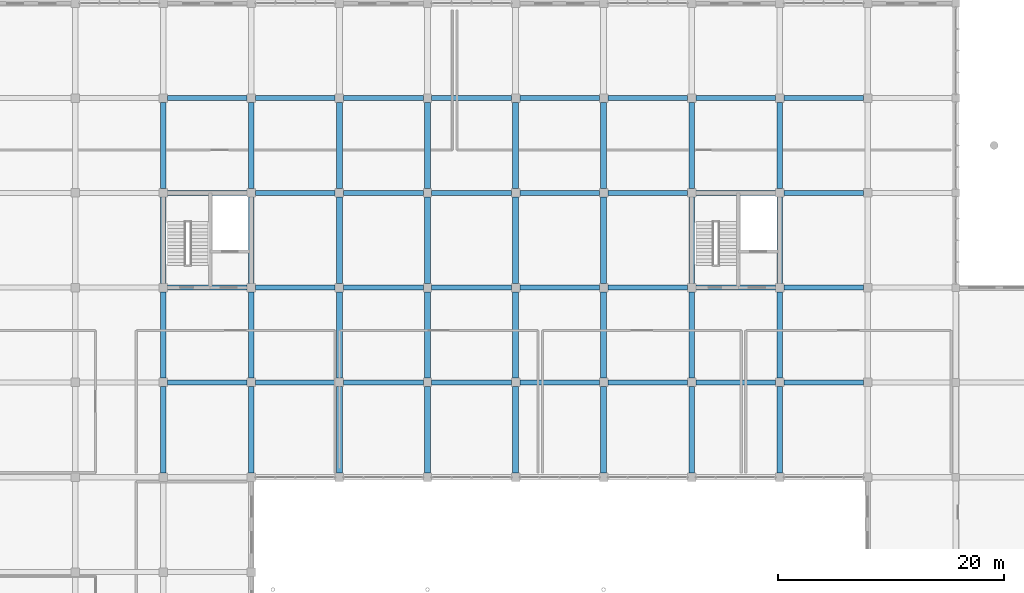
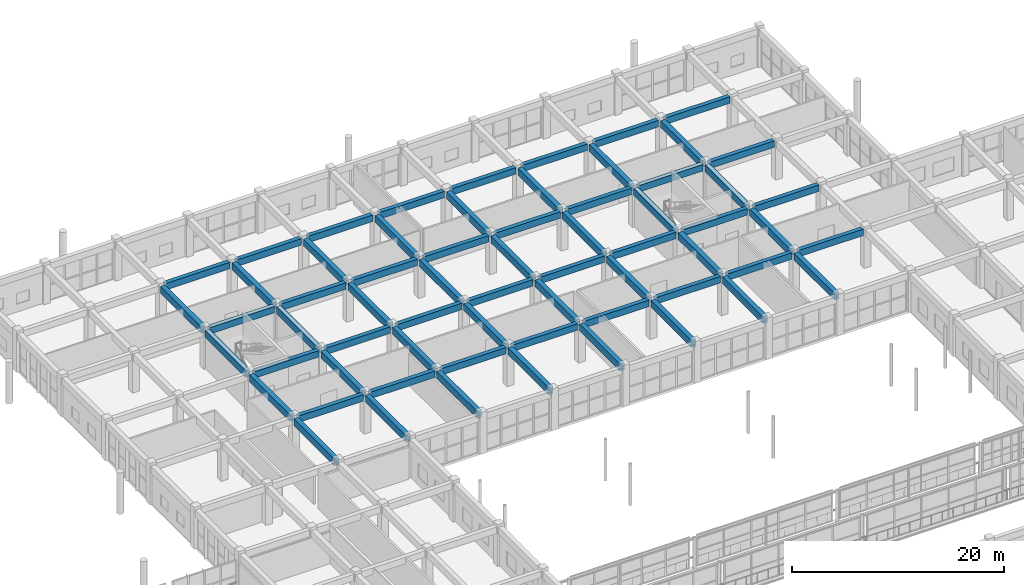
# One storey, part 86 of 175: 64 beams.
"""IFC4 building model written with IfcOpenShell, lengths in metres."""

from ifc_helpers import new_model, si_unit, direction, frame, origin, origin_2d, place, context, subcontext, project, spatial, rectangle, extrude, material, material_profile, profile_set, type_object, element, save


model = new_model("IFC4")

# Units and contexts
model_context = context("Model", 3, precision=1e-05, world=origin(), true_north=direction((0.0, 1.0)))
body_context = subcontext(model_context, "Body", "Model", "MODEL_VIEW")
ifc_project = project(units=[si_unit("LENGTHUNIT", "METRE"), si_unit("AREAUNIT", "SQUARE_METRE"), si_unit("VOLUMEUNIT", "CUBIC_METRE"), si_unit("PLANEANGLEUNIT", "RADIAN"), si_unit("MASSUNIT", "GRAM", prefix="KILO")], contexts=[model_context])

# Site, building, storey
site_placement = place(None, origin())
site = spatial("IfcSite", under=ifc_project, at=site_placement, CompositionType="ELEMENT")
building_placement = place(site_placement, origin())
building = spatial("IfcBuilding", under=site, at=building_placement, Name="Zizhar Promenade General Hospital", CompositionType="ELEMENT")
storey_placement = place(building_placement, frame((0.0, 0.0, 4.800048828125)))
storey = spatial("IfcBuildingStorey", under=building, at=storey_placement, Name="L01", CompositionType="ELEMENT", Elevation=4.800048828125)

# Beams
ifc_material_1 = material(Name="Concrete C35/45", Category="concrete")
ifc_material_profile_1 = material_profile(ifc_material_1, rectangle(XDim=0.449951171875, YDim=0.75, at=origin_2d()))
ifc_profile_set_1 = profile_set([ifc_material_profile_1], Name="Concrete C35/45")
beam_type_1 = type_object("IfcBeamType", Name="BM-RC-450x750", PredefinedType="BEAM", material=ifc_profile_set_1)
for number, where, z_axis, x_axis, name in (
    (1, (62.77490234375, 100.800048828125, 4.094970703125), (1.0, 0.0, 0.0), (0.0, 1.0, 0.0), "Grid Beam X L01 (8-12)"),
    (2, (62.77490234375, 109.199951171875, 4.094970703125), (1.0, 0.0, 0.0), (0.0, 1.0, 0.0), "Grid Beam X L01 (8-13)"),
    (3, (62.77490234375, 117.60009765625, 4.094970703125), (1.0, 0.0, 0.0), (0.0, 1.0, 0.0), "Grid Beam X L01 (8-14)"),
    (4, (62.77490234375, 126.0, 4.094970703125), (1.0, 0.0, 0.0), (0.0, 1.0, 0.0), "Grid Beam X L01 (8-15)"),
    (5, (70.574951171875, 100.800048828125, 4.094970703125), (1.0, 0.0, 0.0), (0.0, 1.0, 0.0), "Grid Beam X L01 (9-12)"),
    (6, (70.574951171875, 109.199951171875, 4.094970703125), (1.0, 0.0, 0.0), (0.0, 1.0, 0.0), "Grid Beam X L01 (9-13)"),
    (7, (70.574951171875, 117.60009765625, 4.094970703125), (1.0, 0.0, 0.0), (0.0, 1.0, 0.0), "Grid Beam X L01 (9-14)"),
    (8, (70.574951171875, 126.0, 4.094970703125), (1.0, 0.0, 0.0), (0.0, 1.0, 0.0), "Grid Beam X L01 (9-15)"),
    (9, (78.375, 100.800048828125, 4.094970703125), (1.0, 0.0, 0.0), (0.0, 1.0, 0.0), "Grid Beam X L01 (10-12)"),
    (10, (78.375, 109.199951171875, 4.094970703125), (1.0, 0.0, 0.0), (0.0, 1.0, 0.0), "Grid Beam X L01 (10-13)"),
    (11, (78.375, 117.60009765625, 4.094970703125), (1.0, 0.0, 0.0), (0.0, 1.0, 0.0), "Grid Beam X L01 (10-14)"),
    (12, (78.375, 126.0, 4.094970703125), (1.0, 0.0, 0.0), (0.0, 1.0, 0.0), "Grid Beam X L01 (10-15)"),
    (13, (86.175048828125, 100.800048828125, 4.094970703125), (1.0, 0.0, 0.0), (0.0, 1.0, 0.0), "Grid Beam X L01 (11-12)"),
    (14, (86.175048828125, 109.199951171875, 4.094970703125), (1.0, 0.0, 0.0), (0.0, 1.0, 0.0), "Grid Beam X L01 (11-13)"),
    (15, (86.175048828125, 117.60009765625, 4.094970703125), (1.0, 0.0, 0.0), (0.0, 1.0, 0.0), "Grid Beam X L01 (11-14)"),
    (16, (86.175048828125, 126.0, 4.094970703125), (1.0, 0.0, 0.0), (0.0, 1.0, 0.0), "Grid Beam X L01 (11-15)"),
):
    element("IfcBeam", number, at=place(storey_placement, frame(where, z_axis=z_axis, x_axis=x_axis)), inside=storey, type_object=beam_type_1, Name=name, PredefinedType="BEAM", context=body_context, shape_type="SweptSolid", body=[
        extrude(rectangle(XDim=0.449951171875, YDim=0.75, at=origin_2d()), origin(), (0.0, 0.0, 1.0), 7.050048828125),
    ])
for number, where, z_axis, x_axis, name in (
    (17, (93.97509765625, 100.800048828125, 4.094970703125), (1.0, 0.0, 0.0), (0.0, 1.0, 0.0), "Grid Beam X L01 (12-12)"),
    (18, (93.97509765625, 109.199951171875, 4.094970703125), (1.0, 0.0, 0.0), (0.0, 1.0, 0.0), "Grid Beam X L01 (12-13)"),
    (19, (93.97509765625, 117.60009765625, 4.094970703125), (1.0, 0.0, 0.0), (0.0, 1.0, 0.0), "Grid Beam X L01 (12-14)"),
    (20, (93.97509765625, 126.0, 4.094970703125), (1.0, 0.0, 0.0), (0.0, 1.0, 0.0), "Grid Beam X L01 (12-15)"),
):
    element("IfcBeam", number, at=place(storey_placement, frame(where, z_axis=z_axis, x_axis=x_axis)), inside=storey, type_object=beam_type_1, Name=name, PredefinedType="BEAM", context=body_context, shape_type="SweptSolid", body=[
        extrude(rectangle(XDim=0.449951171875, YDim=0.75, at=origin_2d()), origin(), (0.0, 0.0, 1.0), 7.0498046875),
    ])
for number, where, z_axis, x_axis, name in (
    (21, (101.77490234375, 100.800048828125, 4.094970703125), (1.0, 0.0, 0.0), (0.0, 1.0, 0.0), "Grid Beam X L01 (13-12)"),
    (22, (101.77490234375, 109.199951171875, 4.094970703125), (1.0, 0.0, 0.0), (0.0, 1.0, 0.0), "Grid Beam X L01 (13-13)"),
    (23, (101.77490234375, 117.60009765625, 4.094970703125), (1.0, 0.0, 0.0), (0.0, 1.0, 0.0), "Grid Beam X L01 (13-14)"),
    (24, (101.77490234375, 126.0, 4.094970703125), (1.0, 0.0, 0.0), (0.0, 1.0, 0.0), "Grid Beam X L01 (13-15)"),
    (25, (109.574951171875, 100.800048828125, 4.094970703125), (1.0, 0.0, 0.0), (0.0, 1.0, 0.0), "Grid Beam X L01 (14-12)"),
    (26, (109.574951171875, 109.199951171875, 4.094970703125), (1.0, 0.0, 0.0), (0.0, 1.0, 0.0), "Grid Beam X L01 (14-13)"),
    (27, (109.574951171875, 117.60009765625, 4.094970703125), (1.0, 0.0, 0.0), (0.0, 1.0, 0.0), "Grid Beam X L01 (14-14)"),
    (28, (109.574951171875, 126.0, 4.094970703125), (1.0, 0.0, 0.0), (0.0, 1.0, 0.0), "Grid Beam X L01 (14-15)"),
    (29, (117.375, 100.800048828125, 4.094970703125), (1.0, 0.0, 0.0), (0.0, 1.0, 0.0), "Grid Beam X L01 (15-12)"),
    (30, (117.375, 109.199951171875, 4.094970703125), (1.0, 0.0, 0.0), (0.0, 1.0, 0.0), "Grid Beam X L01 (15-13)"),
    (31, (117.375, 117.60009765625, 4.094970703125), (1.0, 0.0, 0.0), (0.0, 1.0, 0.0), "Grid Beam X L01 (15-14)"),
    (32, (117.375, 126.0, 4.094970703125), (1.0, 0.0, 0.0), (0.0, 1.0, 0.0), "Grid Beam X L01 (15-15)"),
):
    element("IfcBeam", number, at=place(storey_placement, frame(where, z_axis=z_axis, x_axis=x_axis)), inside=storey, type_object=beam_type_1, Name=name, PredefinedType="BEAM", context=body_context, shape_type="SweptSolid", body=[
        extrude(rectangle(XDim=0.449951171875, YDim=0.75, at=origin_2d()), origin(), (0.0, 0.0, 1.0), 7.050048828125),
    ])
ifc_material_2 = material(Name="Concrete C35/45", Category="concrete")
ifc_material_profile_2 = material_profile(ifc_material_2, rectangle(XDim=0.5, YDim=0.800048828125, at=origin_2d()))
ifc_profile_set_2 = profile_set([ifc_material_profile_2], Name="Concrete C35/45")
beam_type_2 = type_object("IfcBeamType", Name="BM-RC-500x800", PredefinedType="BEAM", material=ifc_profile_set_2)
beam_1_placement = place(storey_placement, frame((62.39990234375, 92.77490234375, 4.070068359375), z_axis=(0.0, 1.0, 0.0), x_axis=(-1.0, 0.0, 0.0)))
element("IfcBeam", 33, at=beam_1_placement, inside=storey, type_object=beam_type_2, Name="Grid Beam Y L01 (8-11)", PredefinedType="BEAM", context=body_context, shape_type="SweptSolid", body=[
    extrude(rectangle(XDim=0.5, YDim=0.800048828125, at=origin_2d()), origin(), (0.0, 0.0, 1.0), 7.650146484375),
])
beam_2_placement = place(storey_placement, frame((62.39990234375, 101.175048828125, 4.070068359375), z_axis=(0.0, 1.0, 0.0), x_axis=(-1.0, 0.0, 0.0)))
element("IfcBeam", 34, at=beam_2_placement, inside=storey, type_object=beam_type_2, Name="Grid Beam Y L01 (8-12)", PredefinedType="BEAM", context=body_context, shape_type="SweptSolid", body=[
    extrude(rectangle(XDim=0.5, YDim=0.800048828125, at=origin_2d()), origin(), (0.0, 0.0, 1.0), 7.64990234375),
])
beam_3_placement = place(storey_placement, frame((62.39990234375, 109.574951171875, 4.070068359375), z_axis=(0.0, 1.0, 0.0), x_axis=(-1.0, 0.0, 0.0)))
element("IfcBeam", 35, at=beam_3_placement, inside=storey, type_object=beam_type_2, Name="Grid Beam Y L01 (8-13)", PredefinedType="BEAM", context=body_context, shape_type="SweptSolid", body=[
    extrude(rectangle(XDim=0.5, YDim=0.800048828125, at=origin_2d()), origin(), (0.0, 0.0, 1.0), 7.650146484375),
])
beam_4_placement = place(storey_placement, frame((62.39990234375, 117.97509765625, 4.070068359375), z_axis=(0.0, 1.0, 0.0), x_axis=(-1.0, 0.0, 0.0)))
element("IfcBeam", 36, at=beam_4_placement, inside=storey, type_object=beam_type_2, Name="Grid Beam Y L01 (8-14)", PredefinedType="BEAM", context=body_context, shape_type="SweptSolid", body=[
    extrude(rectangle(XDim=0.5, YDim=0.800048828125, at=origin_2d()), origin(), (0.0, 0.0, 1.0), 7.64990234375),
])
beam_5_placement = place(storey_placement, frame((70.199951171875, 92.77490234375, 4.070068359375), z_axis=(0.0, 1.0, 0.0), x_axis=(-1.0, 0.0, 0.0)))
element("IfcBeam", 37, at=beam_5_placement, inside=storey, type_object=beam_type_2, Name="Grid Beam Y L01 (9-11)", PredefinedType="BEAM", context=body_context, shape_type="SweptSolid", body=[
    extrude(rectangle(XDim=0.5, YDim=0.800048828125, at=origin_2d()), origin(), (0.0, 0.0, 1.0), 7.650146484375),
])
beam_6_placement = place(storey_placement, frame((70.199951171875, 101.175048828125, 4.070068359375), z_axis=(0.0, 1.0, 0.0), x_axis=(-1.0, 0.0, 0.0)))
element("IfcBeam", 38, at=beam_6_placement, inside=storey, type_object=beam_type_2, Name="Grid Beam Y L01 (9-12)", PredefinedType="BEAM", context=body_context, shape_type="SweptSolid", body=[
    extrude(rectangle(XDim=0.5, YDim=0.800048828125, at=origin_2d()), origin(), (0.0, 0.0, 1.0), 7.64990234375),
])
beam_7_placement = place(storey_placement, frame((70.199951171875, 109.574951171875, 4.070068359375), z_axis=(0.0, 1.0, 0.0), x_axis=(-1.0, 0.0, 0.0)))
element("IfcBeam", 39, at=beam_7_placement, inside=storey, type_object=beam_type_2, Name="Grid Beam Y L01 (9-13)", PredefinedType="BEAM", context=body_context, shape_type="SweptSolid", body=[
    extrude(rectangle(XDim=0.5, YDim=0.800048828125, at=origin_2d()), origin(), (0.0, 0.0, 1.0), 7.650146484375),
])
beam_8_placement = place(storey_placement, frame((70.199951171875, 117.97509765625, 4.070068359375), z_axis=(0.0, 1.0, 0.0), x_axis=(-1.0, 0.0, 0.0)))
element("IfcBeam", 40, at=beam_8_placement, inside=storey, type_object=beam_type_2, Name="Grid Beam Y L01 (9-14)", PredefinedType="BEAM", context=body_context, shape_type="SweptSolid", body=[
    extrude(rectangle(XDim=0.5, YDim=0.800048828125, at=origin_2d()), origin(), (0.0, 0.0, 1.0), 7.64990234375),
])
beam_9_placement = place(storey_placement, frame((78.0, 92.77490234375, 4.070068359375), z_axis=(0.0, 1.0, 0.0), x_axis=(-1.0, 0.0, 0.0)))
element("IfcBeam", 41, at=beam_9_placement, inside=storey, type_object=beam_type_2, Name="Grid Beam Y L01 (10-11)", PredefinedType="BEAM", context=body_context, shape_type="SweptSolid", body=[
    extrude(rectangle(XDim=0.5, YDim=0.800048828125, at=origin_2d()), origin(), (0.0, 0.0, 1.0), 7.650146484375),
])
beam_10_placement = place(storey_placement, frame((78.0, 101.175048828125, 4.070068359375), z_axis=(0.0, 1.0, 0.0), x_axis=(-1.0, 0.0, 0.0)))
element("IfcBeam", 42, at=beam_10_placement, inside=storey, type_object=beam_type_2, Name="Grid Beam Y L01 (10-12)", PredefinedType="BEAM", context=body_context, shape_type="SweptSolid", body=[
    extrude(rectangle(XDim=0.5, YDim=0.800048828125, at=origin_2d()), origin(), (0.0, 0.0, 1.0), 7.64990234375),
])
beam_11_placement = place(storey_placement, frame((78.0, 109.574951171875, 4.070068359375), z_axis=(0.0, 1.0, 0.0), x_axis=(-1.0, 0.0, 0.0)))
element("IfcBeam", 43, at=beam_11_placement, inside=storey, type_object=beam_type_2, Name="Grid Beam Y L01 (10-13)", PredefinedType="BEAM", context=body_context, shape_type="SweptSolid", body=[
    extrude(rectangle(XDim=0.5, YDim=0.800048828125, at=origin_2d()), origin(), (0.0, 0.0, 1.0), 7.650146484375),
])
beam_12_placement = place(storey_placement, frame((78.0, 117.97509765625, 4.070068359375), z_axis=(0.0, 1.0, 0.0), x_axis=(-1.0, 0.0, 0.0)))
element("IfcBeam", 44, at=beam_12_placement, inside=storey, type_object=beam_type_2, Name="Grid Beam Y L01 (10-14)", PredefinedType="BEAM", context=body_context, shape_type="SweptSolid", body=[
    extrude(rectangle(XDim=0.5, YDim=0.800048828125, at=origin_2d()), origin(), (0.0, 0.0, 1.0), 7.64990234375),
])
beam_13_placement = place(storey_placement, frame((85.800048828125, 92.77490234375, 4.070068359375), z_axis=(0.0, 1.0, 0.0), x_axis=(-1.0, 0.0, 0.0)))
element("IfcBeam", 45, at=beam_13_placement, inside=storey, type_object=beam_type_2, Name="Grid Beam Y L01 (11-11)", PredefinedType="BEAM", context=body_context, shape_type="SweptSolid", body=[
    extrude(rectangle(XDim=0.5, YDim=0.800048828125, at=origin_2d()), origin(), (0.0, 0.0, 1.0), 7.650146484375),
])
beam_14_placement = place(storey_placement, frame((85.800048828125, 101.175048828125, 4.070068359375), z_axis=(0.0, 1.0, 0.0), x_axis=(-1.0, 0.0, 0.0)))
element("IfcBeam", 46, at=beam_14_placement, inside=storey, type_object=beam_type_2, Name="Grid Beam Y L01 (11-12)", PredefinedType="BEAM", context=body_context, shape_type="SweptSolid", body=[
    extrude(rectangle(XDim=0.5, YDim=0.800048828125, at=origin_2d()), origin(), (0.0, 0.0, 1.0), 7.64990234375),
])
beam_15_placement = place(storey_placement, frame((85.800048828125, 109.574951171875, 4.070068359375), z_axis=(0.0, 1.0, 0.0), x_axis=(-1.0, 0.0, 0.0)))
element("IfcBeam", 47, at=beam_15_placement, inside=storey, type_object=beam_type_2, Name="Grid Beam Y L01 (11-13)", PredefinedType="BEAM", context=body_context, shape_type="SweptSolid", body=[
    extrude(rectangle(XDim=0.5, YDim=0.800048828125, at=origin_2d()), origin(), (0.0, 0.0, 1.0), 7.650146484375),
])
beam_16_placement = place(storey_placement, frame((85.800048828125, 117.97509765625, 4.070068359375), z_axis=(0.0, 1.0, 0.0), x_axis=(-1.0, 0.0, 0.0)))
element("IfcBeam", 48, at=beam_16_placement, inside=storey, type_object=beam_type_2, Name="Grid Beam Y L01 (11-14)", PredefinedType="BEAM", context=body_context, shape_type="SweptSolid", body=[
    extrude(rectangle(XDim=0.5, YDim=0.800048828125, at=origin_2d()), origin(), (0.0, 0.0, 1.0), 7.64990234375),
])
beam_17_placement = place(storey_placement, frame((93.60009765625, 92.77490234375, 4.070068359375), z_axis=(0.0, 1.0, 0.0), x_axis=(-1.0, 0.0, 0.0)))
element("IfcBeam", 49, at=beam_17_placement, inside=storey, type_object=beam_type_2, Name="Grid Beam Y L01 (12-11)", PredefinedType="BEAM", context=body_context, shape_type="SweptSolid", body=[
    extrude(rectangle(XDim=0.5, YDim=0.800048828125, at=origin_2d()), origin(), (0.0, 0.0, 1.0), 7.650146484375),
])
beam_18_placement = place(storey_placement, frame((93.60009765625, 101.175048828125, 4.070068359375), z_axis=(0.0, 1.0, 0.0), x_axis=(-1.0, 0.0, 0.0)))
element("IfcBeam", 50, at=beam_18_placement, inside=storey, type_object=beam_type_2, Name="Grid Beam Y L01 (12-12)", PredefinedType="BEAM", context=body_context, shape_type="SweptSolid", body=[
    extrude(rectangle(XDim=0.5, YDim=0.800048828125, at=origin_2d()), origin(), (0.0, 0.0, 1.0), 7.64990234375),
])
beam_19_placement = place(storey_placement, frame((93.60009765625, 109.574951171875, 4.070068359375), z_axis=(0.0, 1.0, 0.0), x_axis=(-1.0, 0.0, 0.0)))
element("IfcBeam", 51, at=beam_19_placement, inside=storey, type_object=beam_type_2, Name="Grid Beam Y L01 (12-13)", PredefinedType="BEAM", context=body_context, shape_type="SweptSolid", body=[
    extrude(rectangle(XDim=0.5, YDim=0.800048828125, at=origin_2d()), origin(), (0.0, 0.0, 1.0), 7.650146484375),
])
beam_20_placement = place(storey_placement, frame((93.60009765625, 117.97509765625, 4.070068359375), z_axis=(0.0, 1.0, 0.0), x_axis=(-1.0, 0.0, 0.0)))
element("IfcBeam", 52, at=beam_20_placement, inside=storey, type_object=beam_type_2, Name="Grid Beam Y L01 (12-14)", PredefinedType="BEAM", context=body_context, shape_type="SweptSolid", body=[
    extrude(rectangle(XDim=0.5, YDim=0.800048828125, at=origin_2d()), origin(), (0.0, 0.0, 1.0), 7.64990234375),
])
beam_21_placement = place(storey_placement, frame((101.39990234375, 92.77490234375, 4.070068359375), z_axis=(0.0, 1.0, 0.0), x_axis=(-1.0, 0.0, 0.0)))
element("IfcBeam", 53, at=beam_21_placement, inside=storey, type_object=beam_type_2, Name="Grid Beam Y L01 (13-11)", PredefinedType="BEAM", context=body_context, shape_type="SweptSolid", body=[
    extrude(rectangle(XDim=0.5, YDim=0.800048828125, at=origin_2d()), origin(), (0.0, 0.0, 1.0), 7.650146484375),
])
beam_22_placement = place(storey_placement, frame((101.39990234375, 101.175048828125, 4.070068359375), z_axis=(0.0, 1.0, 0.0), x_axis=(-1.0, 0.0, 0.0)))
element("IfcBeam", 54, at=beam_22_placement, inside=storey, type_object=beam_type_2, Name="Grid Beam Y L01 (13-12)", PredefinedType="BEAM", context=body_context, shape_type="SweptSolid", body=[
    extrude(rectangle(XDim=0.5, YDim=0.800048828125, at=origin_2d()), origin(), (0.0, 0.0, 1.0), 7.64990234375),
])
beam_23_placement = place(storey_placement, frame((101.39990234375, 109.574951171875, 4.070068359375), z_axis=(0.0, 1.0, 0.0), x_axis=(-1.0, 0.0, 0.0)))
element("IfcBeam", 55, at=beam_23_placement, inside=storey, type_object=beam_type_2, Name="Grid Beam Y L01 (13-13)", PredefinedType="BEAM", context=body_context, shape_type="SweptSolid", body=[
    extrude(rectangle(XDim=0.5, YDim=0.800048828125, at=origin_2d()), origin(), (0.0, 0.0, 1.0), 7.650146484375),
])
beam_24_placement = place(storey_placement, frame((101.39990234375, 117.97509765625, 4.070068359375), z_axis=(0.0, 1.0, 0.0), x_axis=(-1.0, 0.0, 0.0)))
element("IfcBeam", 56, at=beam_24_placement, inside=storey, type_object=beam_type_2, Name="Grid Beam Y L01 (13-14)", PredefinedType="BEAM", context=body_context, shape_type="SweptSolid", body=[
    extrude(rectangle(XDim=0.5, YDim=0.800048828125, at=origin_2d()), origin(), (0.0, 0.0, 1.0), 7.64990234375),
])
beam_25_placement = place(storey_placement, frame((109.199951171875, 92.77490234375, 4.070068359375), z_axis=(0.0, 1.0, 0.0), x_axis=(-1.0, 0.0, 0.0)))
element("IfcBeam", 57, at=beam_25_placement, inside=storey, type_object=beam_type_2, Name="Grid Beam Y L01 (14-11)", PredefinedType="BEAM", context=body_context, shape_type="SweptSolid", body=[
    extrude(rectangle(XDim=0.5, YDim=0.800048828125, at=origin_2d()), origin(), (0.0, 0.0, 1.0), 7.650146484375),
])
beam_26_placement = place(storey_placement, frame((109.199951171875, 101.175048828125, 4.070068359375), z_axis=(0.0, 1.0, 0.0), x_axis=(-1.0, 0.0, 0.0)))
element("IfcBeam", 58, at=beam_26_placement, inside=storey, type_object=beam_type_2, Name="Grid Beam Y L01 (14-12)", PredefinedType="BEAM", context=body_context, shape_type="SweptSolid", body=[
    extrude(rectangle(XDim=0.5, YDim=0.800048828125, at=origin_2d()), origin(), (0.0, 0.0, 1.0), 7.64990234375),
])
beam_27_placement = place(storey_placement, frame((109.199951171875, 109.574951171875, 4.070068359375), z_axis=(0.0, 1.0, 0.0), x_axis=(-1.0, 0.0, 0.0)))
element("IfcBeam", 59, at=beam_27_placement, inside=storey, type_object=beam_type_2, Name="Grid Beam Y L01 (14-13)", PredefinedType="BEAM", context=body_context, shape_type="SweptSolid", body=[
    extrude(rectangle(XDim=0.5, YDim=0.800048828125, at=origin_2d()), origin(), (0.0, 0.0, 1.0), 7.650146484375),
])
beam_28_placement = place(storey_placement, frame((109.199951171875, 117.97509765625, 4.070068359375), z_axis=(0.0, 1.0, 0.0), x_axis=(-1.0, 0.0, 0.0)))
element("IfcBeam", 60, at=beam_28_placement, inside=storey, type_object=beam_type_2, Name="Grid Beam Y L01 (14-14)", PredefinedType="BEAM", context=body_context, shape_type="SweptSolid", body=[
    extrude(rectangle(XDim=0.5, YDim=0.800048828125, at=origin_2d()), origin(), (0.0, 0.0, 1.0), 7.64990234375),
])
beam_29_placement = place(storey_placement, frame((117.0, 92.77490234375, 4.070068359375), z_axis=(0.0, 1.0, 0.0), x_axis=(-1.0, 0.0, 0.0)))
element("IfcBeam", 61, at=beam_29_placement, inside=storey, type_object=beam_type_2, Name="Grid Beam Y L01 (15-11)", PredefinedType="BEAM", context=body_context, shape_type="SweptSolid", body=[
    extrude(rectangle(XDim=0.5, YDim=0.800048828125, at=origin_2d()), origin(), (0.0, 0.0, 1.0), 7.650146484375),
])
beam_30_placement = place(storey_placement, frame((117.0, 101.175048828125, 4.070068359375), z_axis=(0.0, 1.0, 0.0), x_axis=(-1.0, 0.0, 0.0)))
element("IfcBeam", 62, at=beam_30_placement, inside=storey, type_object=beam_type_2, Name="Grid Beam Y L01 (15-12)", PredefinedType="BEAM", context=body_context, shape_type="SweptSolid", body=[
    extrude(rectangle(XDim=0.5, YDim=0.800048828125, at=origin_2d()), origin(), (0.0, 0.0, 1.0), 7.64990234375),
])
beam_31_placement = place(storey_placement, frame((117.0, 109.574951171875, 4.070068359375), z_axis=(0.0, 1.0, 0.0), x_axis=(-1.0, 0.0, 0.0)))
element("IfcBeam", 63, at=beam_31_placement, inside=storey, type_object=beam_type_2, Name="Grid Beam Y L01 (15-13)", PredefinedType="BEAM", context=body_context, shape_type="SweptSolid", body=[
    extrude(rectangle(XDim=0.5, YDim=0.800048828125, at=origin_2d()), origin(), (0.0, 0.0, 1.0), 7.650146484375),
])
beam_32_placement = place(storey_placement, frame((117.0, 117.97509765625, 4.070068359375), z_axis=(0.0, 1.0, 0.0), x_axis=(-1.0, 0.0, 0.0)))
element("IfcBeam", 64, at=beam_32_placement, inside=storey, type_object=beam_type_2, Name="Grid Beam Y L01 (15-14)", PredefinedType="BEAM", context=body_context, shape_type="SweptSolid", body=[
    extrude(rectangle(XDim=0.5, YDim=0.800048828125, at=origin_2d()), origin(), (0.0, 0.0, 1.0), 7.64990234375),
])

save(model, "model.ifc")
